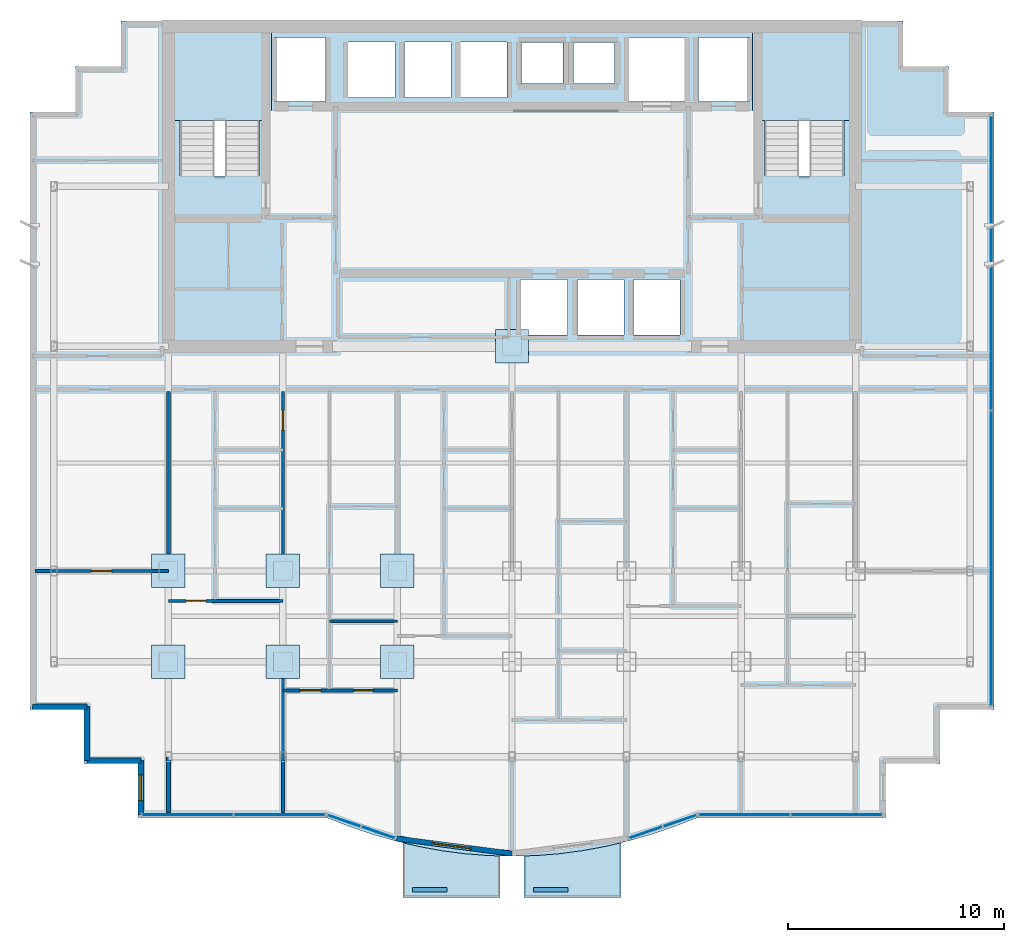
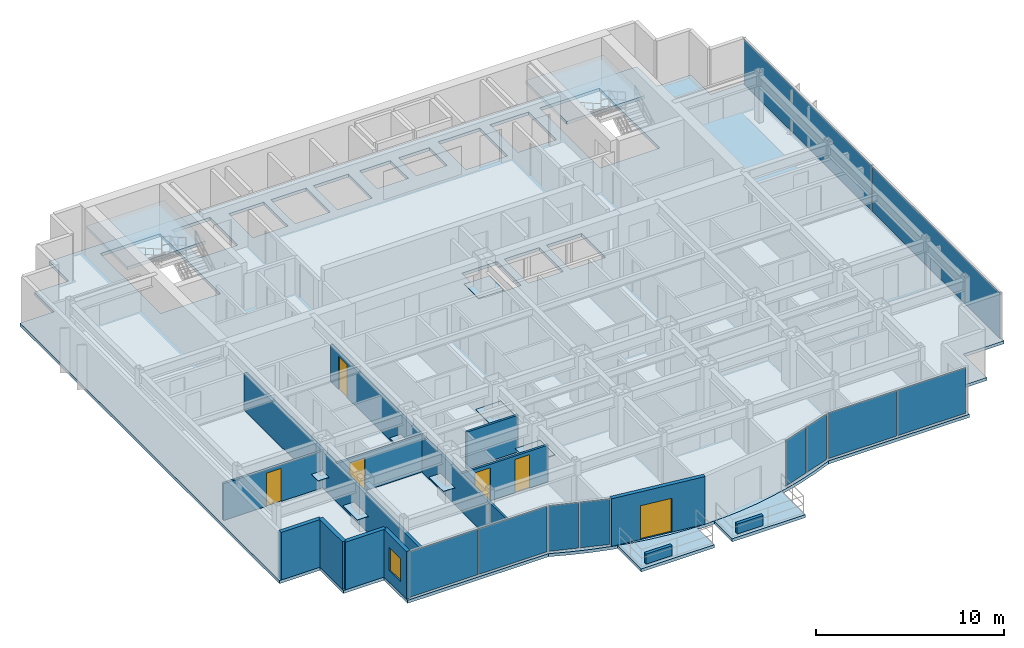
# One storey, part 7 of 13: 17 plates, 13 walls, 6 doors, 5 slabs, 1 window, 7 openings, 7 elements without a shape of their own.
"""IFC4 building model written with IfcOpenShell, lengths in metres."""

from ifc_helpers import new_model, si_unit, direction, frame, frame_2d, origin, origin_2d, place, context, subcontext, project, spatial, polyline, rectangle, outline, extrude, source, transform, mapped, material, layer, layer_set, type_object, element, fill, aggregate, save


model = new_model("IFC4")

# Units and contexts
model_context = context("Model", 3, precision=1e-05, world=origin(), true_north=direction((0.0, 1.0)))
body_context = subcontext(model_context, "Body", "Model", "MODEL_VIEW")
ifc_project = project(units=[si_unit("LENGTHUNIT", "METRE"), si_unit("AREAUNIT", "SQUARE_METRE"), si_unit("VOLUMEUNIT", "CUBIC_METRE"), si_unit("PLANEANGLEUNIT", "RADIAN"), si_unit("MASSUNIT", "GRAM", prefix="KILO")], contexts=[model_context])

# Site, building, storey
site_placement = place(None, origin())
site = spatial("IfcSite", under=ifc_project, at=site_placement, CompositionType="ELEMENT")
building_placement = place(site_placement, origin())
building = spatial("IfcBuilding", under=site, at=building_placement, Name="Qianlan Lanfeng Residences", CompositionType="ELEMENT")
storey_placement = place(building_placement, frame((0.0, 0.0, 162.300048828125)))
storey = spatial("IfcBuildingStorey", under=building, at=storey_placement, Name="L44", CompositionType="ELEMENT", Elevation=162.300048828125)

# Slabs
ifc_material_1 = material(Name="Concrete C42", Category="concrete")
ifc_layer_1 = layer(ifc_material_1, 0.199951171875)
ifc_layer_set_1 = layer_set([ifc_layer_1], Name="Concrete C42")
slab_type_1 = type_object("IfcSlabType", Name="S-BAL-200", PredefinedType="FLOOR", material=ifc_layer_set_1)
slab_1_placement = place(storey_placement, frame((0.0, 0.0, -0.199951171875)))
element("IfcSlab", 1, at=slab_1_placement, inside=storey, type_object=slab_type_1, Name="L44 Planted Tree Balcony Slab SB-W", PredefinedType="FLOOR", context=body_context, shape_type="SweptSolid", body=[
    extrude(outline(polyline([(25.949951171875, 1.614013671875), (25.422119140625, 1.6279296875), (24.344970703125, 1.712890625), (23.26708984375, 1.85302734375), (22.18994140625, 2.050048828125), (21.449951171875, 2.22412109375), (21.449951171875, -0.300048828125), (25.949951171875, -0.300048828125), (25.949951171875, 1.614013671875)])), origin(), (0.0, 0.0, 1.0), 0.199951171875),
])
slab_2_placement = place(storey_placement, frame((0.0, 0.0, -0.199951171875)))
element("IfcSlab", 2, at=slab_2_placement, inside=storey, type_object=slab_type_1, Name="L44 Planted Tree Balcony Slab SB-E", PredefinedType="FLOOR", context=body_context, shape_type="SweptSolid", body=[
    extrude(outline(polyline([(31.550048828125, 2.22412109375), (30.81005859375, 2.050048828125), (29.73193359375, 1.85302734375), (28.655029296875, 1.7119140625), (27.577880859375, 1.6279296875), (27.050048828125, 1.614013671875), (27.050048828125, -0.300048828125), (31.550048828125, -0.300048828125), (31.550048828125, 2.22412109375)])), origin(), (0.0, 0.0, 1.0), 0.199951171875),
])
ifc_layer_2 = layer(ifc_material_1, 0.199951171875)
ifc_layer_set_2 = layer_set([ifc_layer_2], Name="Concrete C42")
slab_type_2 = type_object("IfcSlabType", Name="S-FL-200", PredefinedType="FLOOR", material=ifc_layer_set_2)
slab_3_placement = place(storey_placement, frame((0.0, 0.0, -0.199951171875)))
element("IfcSlab", 3, at=slab_3_placement, inside=storey, type_object=slab_type_2, Name="L44 Structural Floor Slab", PredefinedType="FLOOR", context=body_context, shape_type="SweptSolid", body=[
    extrude(outline(polyline([(4.199951171875, 8.39990234375), (6.699951171875, 8.39990234375), (6.699951171875, 5.89990234375), (9.199951171875, 5.89990234375), (9.199951171875, 3.39990234375), (17.8798828125, 3.39990234375), (18.95703125, 2.97802734375), (20.034912109375, 2.612060546875), (21.112060546875, 2.302978515625), (22.18994140625, 2.050048828125), (23.26708984375, 1.85302734375), (24.344970703125, 1.712890625), (25.422119140625, 1.6279296875), (26.5, 1.60009765625), (27.577880859375, 1.6279296875), (28.655029296875, 1.7119140625), (29.73193359375, 1.85302734375), (30.81005859375, 2.050048828125), (31.886962890625, 2.302978515625), (32.965087890625, 2.612060546875), (34.0419921875, 2.97802734375), (35.1201171875, 3.39990234375), (43.800048828125, 3.39990234375), (43.800048828125, 5.89990234375), (46.300048828125, 5.89990234375), (46.300048828125, 8.39990234375), (48.800048828125, 8.39990234375), (48.800048828125, 36.050048828125), (46.699951171875, 36.050048828125), (46.699951171875, 38.14990234375), (44.60009765625, 38.14990234375), (44.60009765625, 40.25), (8.39990234375, 40.25), (8.39990234375, 38.14990234375), (6.300048828125, 38.14990234375), (6.300048828125, 36.050048828125), (4.199951171875, 36.050048828125), (4.199951171875, 8.39990234375)]), holes=[polyline([(11.139892578125, 33.080078125), (11.139892578125, 39.5), (14.820068359375, 39.5), (14.820068359375, 33.080078125), (11.139892578125, 33.080078125)]), polyline([(38.179931640625, 33.080078125), (38.179931640625, 39.5), (41.860107421875, 39.5), (41.860107421875, 33.080078125), (38.179931640625, 33.080078125)]), polyline([(15.52001953125, 36.52001953125), (15.52001953125, 39.47998046875), (17.8798828125, 39.47998046875), (17.8798828125, 36.52001953125), (15.52001953125, 36.52001953125)]), polyline([(35.1201171875, 36.52001953125), (35.1201171875, 39.47998046875), (37.47998046875, 39.47998046875), (37.47998046875, 36.52001953125), (35.1201171875, 36.52001953125)]), polyline([(31.919921875, 36.52001953125), (31.919921875, 39.47998046875), (34.47998046875, 39.47998046875), (34.47998046875, 36.52001953125), (31.919921875, 36.52001953125)]), polyline([(26.919921875, 25.719970703125), (26.919921875, 28.280029296875), (29.080078125, 28.280029296875), (29.080078125, 25.719970703125), (26.919921875, 25.719970703125)]), polyline([(29.52001953125, 25.719970703125), (29.52001953125, 28.280029296875), (31.679931640625, 28.280029296875), (31.679931640625, 25.719970703125), (29.52001953125, 25.719970703125)]), polyline([(32.1201171875, 25.719970703125), (32.1201171875, 28.280029296875), (34.280029296875, 28.280029296875), (34.280029296875, 25.719970703125), (32.1201171875, 25.719970703125)]), polyline([(18.919921875, 36.719970703125), (18.919921875, 39.280029296875), (21.080078125, 39.280029296875), (21.080078125, 36.719970703125), (18.919921875, 36.719970703125)]), polyline([(21.52001953125, 36.719970703125), (21.52001953125, 39.280029296875), (23.679931640625, 39.280029296875), (23.679931640625, 36.719970703125), (21.52001953125, 36.719970703125)]), polyline([(24.1201171875, 36.719970703125), (24.1201171875, 39.280029296875), (26.280029296875, 39.280029296875), (26.280029296875, 36.719970703125), (24.1201171875, 36.719970703125)]), polyline([(26.949951171875, 37.35009765625), (26.949951171875, 39.25), (28.85009765625, 39.25), (28.85009765625, 37.35009765625), (26.949951171875, 37.35009765625)]), polyline([(29.35009765625, 37.35009765625), (29.35009765625, 39.25), (31.25, 39.25), (31.25, 37.35009765625), (29.35009765625, 37.35009765625)])]), origin(), (0.0, 0.0, 1.0), 0.199951171875),
])

# Stair, slab
stair_type = type_object("IfcStairType", Name="STR-MAIN", PredefinedType="HALF_TURN_STAIR", material=ifc_material_1)
stair_1_placement = place(storey_placement, origin())
stair_1 = element("IfcStair", 4, at=stair_1_placement, inside=storey, type_object=stair_type, Name="L44 Exit Stair ST-1", PredefinedType="HALF_TURN_STAIR")
ifc_layer_3 = layer(ifc_material_1, 0.179931640625)
ifc_layer_set_3 = layer_set([ifc_layer_3], Name="Concrete C42")
slab_type_3 = type_object("IfcSlabType", Name="S-LND-180", PredefinedType="LANDING", material=ifc_layer_set_3)
slab_4_placement = place(storey_placement, frame((0.0, 0.0, 1.449951171875)))
slab_4 = element("IfcSlab", 5, at=slab_4_placement, type_object=slab_type_3, Name="ST-1 landing 1", PredefinedType="LANDING", context=body_context, shape_type="SweptSolid", body=[
    extrude(outline(polyline([(10.580078125, 35.659912109375), (15.3798828125, 35.659912109375), (15.3798828125, 40.050048828125), (10.580078125, 40.050048828125), (10.580078125, 35.659912109375)])), origin(), (0.0, 0.0, 1.0), 0.199951171875),
])
aggregate(stair_1, [slab_4])

stair_2_placement = place(storey_placement, origin())
stair_2 = element("IfcStair", 6, at=stair_2_placement, inside=storey, type_object=stair_type, Name="L44 Exit Stair ST-2", PredefinedType="HALF_TURN_STAIR")
slab_5_placement = place(storey_placement, frame((0.0, 0.0, 1.449951171875)))
slab_5 = element("IfcSlab", 7, at=slab_5_placement, type_object=slab_type_3, Name="ST-2 landing 1", PredefinedType="LANDING", context=body_context, shape_type="SweptSolid", body=[
    extrude(outline(polyline([(37.6201171875, 35.659912109375), (42.419921875, 35.659912109375), (42.419921875, 40.050048828125), (37.6201171875, 40.050048828125), (37.6201171875, 35.659912109375)])), origin(), (0.0, 0.0, 1.0), 0.199951171875),
])
aggregate(stair_2, [slab_5])

# Plates
ifc_material_2 = material(Name="Steel SN490B", Category="steel")
ifc_layer_4 = layer(ifc_material_2, 0.031982421875)
ifc_layer_set_4 = layer_set([ifc_layer_4], Name="Steel SN490B")
plate_type_1 = type_object("IfcPlateType", Name="NP-CAP-32", PredefinedType="USERDEFINED", material=ifc_layer_set_4)
shared_shape_1 = source(origin(), body_context, "Body", "SweptSolid", [
    extrude(rectangle(XDim=1.550048828125, YDim=1.550048828125, at=origin_2d()), origin(), (0.0, 0.0, 1.0), 0.031982421875),
])
for number, where, z_axis, x_axis, name in (
    (8, (26.5, 25.199951171875, 1.083984375), (0.0, 0.0, 1.0), (1.0, 0.0, 0.0), "L44 Column Splice Cap Plate 1"),
    (9, (10.60009765625, 14.800048828125, 1.083984375), (0.0, 0.0, 1.0), (1.0, 0.0, 0.0), "L44 Column Splice Cap Plate 2"),
    (10, (10.60009765625, 10.60009765625, 1.083984375), (0.0, 0.0, 1.0), (1.0, 0.0, 0.0), "L44 Column Splice Cap Plate 3"),
    (11, (15.89990234375, 14.800048828125, 1.083984375), (0.0, 0.0, 1.0), (1.0, 0.0, 0.0), "L44 Column Splice Cap Plate 4"),
    (12, (15.89990234375, 10.60009765625, 1.083984375), (0.0, 0.0, 1.0), (1.0, 0.0, 0.0), "L44 Column Splice Cap Plate 5"),
    (13, (21.199951171875, 14.800048828125, 1.083984375), (0.0, 0.0, 1.0), (1.0, 0.0, 0.0), "L44 Column Splice Cap Plate 6"),
    (14, (21.199951171875, 10.60009765625, 1.083984375), (0.0, 0.0, 1.0), (1.0, 0.0, 0.0), "L44 Column Splice Cap Plate 7"),
):
    element("IfcPlate", number, at=place(storey_placement, frame(where, z_axis=z_axis, x_axis=x_axis)), inside=storey, type_object=plate_type_1, Name=name, ObjectType="SPLICE_PLATE", PredefinedType="USERDEFINED", context=body_context, shape_type="MappedRepresentation", body=[
        mapped(shared_shape_1, transform((0.0, 0.0, 0.0), scale=1.0)),
    ])

# Curtain wall, plates
ifc_material_3 = material(Name="Anodised Bronze Aluminium 6063-T6", Category="aluminium")
ifc_layer_5 = layer(ifc_material_3, 0.219970703125)
ifc_layer_set_5 = layer_set([ifc_layer_5], Name="Anodised Bronze Aluminium 6063-T6")
curtain_wall_type = type_object("IfcCurtainWallType", Name="CW-04", PredefinedType="NOTDEFINED", material=ifc_layer_set_5)
curtain_wall_1_placement = place(storey_placement, origin())
curtain_wall_1 = element("IfcCurtainWall", 15, at=curtain_wall_1_placement, inside=storey, type_object=curtain_wall_type, Name="L44 Unitised Curtain Wall CWR-L44-01 (CW-04)", PredefinedType="NOTDEFINED")
ifc_material_4 = material(Name="Dark Bronze Tinted Insulated Glass", Category="glass")
ifc_layer_6 = layer(ifc_material_4, 0.0380859375)
ifc_layer_set_6 = layer_set([ifc_layer_6], Name="Dark Bronze Tinted Insulated Glass")
plate_type_2 = type_object("IfcPlateType", Name="PNL-GLZ-BRZ", PredefinedType="CURTAIN_PANEL", material=ifc_layer_set_6)
shared_shape_2 = source(origin(), body_context, "Body", "SweptSolid", [
    extrude(rectangle(XDim=4.180908203125, YDim=0.0380859375, at=origin_2d()), origin(), (0.0, 0.0, 1.0), 2.951904296875),
])
plate_1_placement = place(storey_placement, frame((11.484619140625, 3.52001953125, 0.07421875), z_axis=(0.0, 0.0, 1.0), x_axis=(1.0, 0.0, 0.0)))
plate_1 = element("IfcPlate", 16, at=plate_1_placement, type_object=plate_type_2, Name="CWR-L44-01 Curtain Panel 1", PredefinedType="CURTAIN_PANEL", context=body_context, shape_type="MappedRepresentation", body=[
    mapped(shared_shape_2, transform((0.0, 0.0, 0.0), scale=1.0)),
])
plate_2_placement = place(storey_placement, frame((15.738525390625, 3.52001953125, 0.07421875), z_axis=(0.0, 0.0, 1.0), x_axis=(1.0, 0.0, 0.0)))
plate_2 = element("IfcPlate", 17, at=plate_2_placement, type_object=plate_type_2, Name="CWR-L44-01 Curtain Panel 2", PredefinedType="CURTAIN_PANEL", context=body_context, shape_type="MappedRepresentation", body=[
    mapped(shared_shape_2, transform((0.0, 0.0, 0.0), scale=1.0)),
])
aggregate(curtain_wall_1, [plate_1, plate_2])

# Curtain wall, plate
curtain_wall_2_placement = place(storey_placement, origin())
curtain_wall_2 = element("IfcCurtainWall", 18, at=curtain_wall_2_placement, inside=storey, type_object=curtain_wall_type, Name="L44 Unitised Curtain Wall CWR-L44-04 (CW-04)", PredefinedType="NOTDEFINED")
plate_3_placement = place(storey_placement, frame((37.261474609375, 3.52001953125, 0.07421875), z_axis=(0.0, 0.0, 1.0), x_axis=(1.0, 0.0, 0.0)))
plate_3 = element("IfcPlate", 19, at=plate_3_placement, type_object=plate_type_2, Name="CWR-L44-04 Curtain Panel 1", PredefinedType="CURTAIN_PANEL", context=body_context, shape_type="MappedRepresentation", body=[
    mapped(shared_shape_2, transform((0.0, 0.0, 0.0), scale=1.0)),
])

curtain_wall_3_placement = place(storey_placement, origin())
curtain_wall_3 = element("IfcCurtainWall", 20, at=curtain_wall_3_placement, inside=storey, type_object=curtain_wall_type, Name="L44 Unitised Curtain Wall CWR-L44-02 (CW-04)", PredefinedType="NOTDEFINED")
shared_shape_3 = source(origin(), body_context, "Body", "SweptSolid", [
    extrude(rectangle(XDim=1.60009765625, YDim=0.0380859375, at=origin_2d()), origin(), (0.0, 0.0, 1.0), 2.951904296875),
])
plate_4_placement = place(storey_placement, frame((18.73046875, 3.23876953125, 0.07421875), z_axis=(0.0, 0.0, 1.0), x_axis=(0.946795963885, -0.321834433787, 0.0)))
plate_4 = element("IfcPlate", 21, at=plate_4_placement, type_object=plate_type_2, Name="CWR-L44-02 Curtain Panel 1", PredefinedType="CURTAIN_PANEL", context=body_context, shape_type="MappedRepresentation", body=[
    mapped(shared_shape_3, transform((0.0, 0.0, 0.0), scale=1.0)),
])

# Curtain wall, plates
curtain_wall_4_placement = place(storey_placement, origin())
curtain_wall_4 = element("IfcCurtainWall", 22, at=curtain_wall_4_placement, inside=storey, type_object=curtain_wall_type, Name="L44 Unitised Curtain Wall CWR-L44-03 (CW-04)", PredefinedType="NOTDEFINED")
shared_shape_4 = source(origin(), body_context, "Body", "SweptSolid", [
    extrude(rectangle(XDim=1.6005859375, YDim=0.0380859375, at=origin_2d()), origin(), (0.0, 0.0, 1.0), 2.951904296875),
])
plate_5_placement = place(storey_placement, frame((32.684814453125, 2.7001953125, 0.07421875), z_axis=(0.0, 0.0, 1.0), x_axis=(0.946826291861, 0.32174519894, 0.0)))
plate_5 = element("IfcPlate", 23, at=plate_5_placement, type_object=plate_type_2, Name="CWR-L44-03 Curtain Panel 1", PredefinedType="CURTAIN_PANEL", context=body_context, shape_type="MappedRepresentation", body=[
    mapped(shared_shape_4, transform((0.0, 0.0, 0.0), scale=1.0)),
])
plate_6_placement = place(storey_placement, frame((34.269287109375, 3.23876953125, 0.07421875), z_axis=(0.0, 0.0, 1.0), x_axis=(0.946826291861, 0.32174519894, 0.0)))
plate_6 = element("IfcPlate", 24, at=plate_6_placement, type_object=plate_type_2, Name="CWR-L44-03 Curtain Panel 2", PredefinedType="CURTAIN_PANEL", context=body_context, shape_type="MappedRepresentation", body=[
    mapped(shared_shape_4, transform((0.0, 0.0, 0.0), scale=1.0)),
])
aggregate(curtain_wall_4, [plate_5, plate_6])

curtain_wall_5_placement = place(storey_placement, origin())
curtain_wall_5 = element("IfcCurtainWall", 25, at=curtain_wall_5_placement, inside=storey, type_object=curtain_wall_type, Name="L44 Unitised Curtain Wall CWR-L44-05 (CW-04)", PredefinedType="NOTDEFINED")
shared_shape_5 = source(origin(), body_context, "Body", "SweptSolid", [
    extrude(rectangle(XDim=13.594482421875, YDim=0.0380859375, at=origin_2d()), origin(), (0.0, 0.0, 1.0), 2.951904296875),
])
plate_7_placement = place(storey_placement, frame((48.679931640625, 15.39111328125, 0.07421875), z_axis=(0.0, 0.0, 1.0), x_axis=(0.0, 1.0, 0.0)))
plate_7 = element("IfcPlate", 26, at=plate_7_placement, type_object=plate_type_2, Name="CWR-L44-05 Curtain Panel 1", PredefinedType="CURTAIN_PANEL", context=body_context, shape_type="MappedRepresentation", body=[
    mapped(shared_shape_5, transform((0.0, 0.0, 0.0), scale=1.0)),
])
plate_8_placement = place(storey_placement, frame((48.679931640625, 29.05859375, 0.07421875), z_axis=(0.0, 0.0, 1.0), x_axis=(0.0, 1.0, 0.0)))
plate_8 = element("IfcPlate", 27, at=plate_8_placement, type_object=plate_type_2, Name="CWR-L44-05 Curtain Panel 2", PredefinedType="CURTAIN_PANEL", context=body_context, shape_type="MappedRepresentation", body=[
    mapped(shared_shape_5, transform((0.0, 0.0, 0.0), scale=1.0)),
])
aggregate(curtain_wall_5, [plate_7, plate_8])

# Plate
ifc_material_5 = material(Name="Perforated Champagne Gold Aluminium Panel", Category="aluminium")
ifc_layer_7 = layer(ifc_material_5, 0.0400390625)
ifc_layer_set_7 = layer_set([ifc_layer_7], Name="Perforated Champagne Gold Aluminium Panel")
plate_type_3 = type_object("IfcPlateType", Name="PNL-PRF-GLD", PredefinedType="CURTAIN_PANEL", material=ifc_layer_set_7)
shared_shape_6 = source(origin(), body_context, "Body", "SweptSolid", [
    extrude(rectangle(XDim=1.60009765625, YDim=0.0400390625, at=origin_2d()), origin(), (0.0, 0.0, 1.0), 2.951904296875),
])
plate_9_placement = place(storey_placement, frame((20.314453125, 2.7001953125, 0.07421875), z_axis=(0.0, 0.0, 1.0), x_axis=(0.946795963885, -0.321834433787, 0.0)))
plate_9 = element("IfcPlate", 28, at=plate_9_placement, type_object=plate_type_3, Name="CWR-L44-02 Curtain Panel 2", PredefinedType="CURTAIN_PANEL", context=body_context, shape_type="MappedRepresentation", body=[
    mapped(shared_shape_6, transform((0.0, 0.0, 0.0), scale=1.0)),
])

aggregate(curtain_wall_3, [plate_4, plate_9])

shared_shape_7 = source(origin(), body_context, "Body", "SweptSolid", [
    extrude(rectangle(XDim=4.180908203125, YDim=0.0400390625, at=origin_2d()), origin(), (0.0, 0.0, 1.0), 2.951904296875),
])
plate_10_placement = place(storey_placement, frame((41.515380859375, 3.52001953125, 0.07421875), z_axis=(0.0, 0.0, 1.0), x_axis=(1.0, 0.0, 0.0)))
plate_10 = element("IfcPlate", 29, at=plate_10_placement, type_object=plate_type_3, Name="CWR-L44-04 Curtain Panel 2", PredefinedType="CURTAIN_PANEL", context=body_context, shape_type="MappedRepresentation", body=[
    mapped(shared_shape_7, transform((0.0, 0.0, 0.0), scale=1.0)),
])

aggregate(curtain_wall_2, [plate_3, plate_10])

# Walls
ifc_layer_8 = layer(ifc_material_1, 0.239990234375)
ifc_layer_set_8 = layer_set([ifc_layer_8], Name="Concrete C42")
wall_type_1 = type_object("IfcWallType", Name="EW-240", PredefinedType="SOLIDWALL", material=ifc_layer_set_8)
for number, where, z_axis, x_axis, name in (
    (30, (4.320068359375, 8.52001953125, 0.0), (0.0, 0.0, 1.0), (1.0, 0.0, 0.0), "L44 Exterior Facade Spandrel Wall 1"),
    (31, (6.820068359375, 8.52001953125, 0.0), (0.0, 0.0, 1.0), (0.0, -1.0, 0.0), "L44 Exterior Facade Spandrel Wall 2"),
    (32, (6.820068359375, 6.02001953125, 0.0), (0.0, 0.0, 1.0), (1.0, 0.0, 0.0), "L44 Exterior Facade Spandrel Wall 3"),
):
    element("IfcWall", number, at=place(storey_placement, frame(where, z_axis=z_axis, x_axis=x_axis)), inside=storey, type_object=wall_type_1, Name=name, PredefinedType="SOLIDWALL", context=body_context, shape_type="SweptSolid", body=[
        extrude(rectangle(XDim=2.5, YDim=0.239990234375, at=frame_2d((1.25, 0.0))), origin(), (0.0, 0.0, 1.0), 3.099853515625),
    ])

# Wall, opening, window
wall_1_placement = place(storey_placement, frame((9.320068359375, 6.02001953125, 0.0), z_axis=(0.0, 0.0, 1.0), x_axis=(0.0, -1.0, 0.0)))
wall_1 = element("IfcWall", 33, at=wall_1_placement, inside=storey, type_object=wall_type_1, Name="L44 Exterior Facade Spandrel Wall 4", PredefinedType="SOLIDWALL", context=body_context, shape_type="SweptSolid", body=[
    extrude(rectangle(XDim=2.5, YDim=0.239990234375, at=frame_2d((1.25, 0.0))), origin(), (0.0, 0.0, 1.0), 3.099853515625),
])
opening_1_placement = place(wall_1_placement, frame((0.64990234375, 0.0, 0.75)))
opening_1 = element("IfcOpeningElement", 34, at=opening_1_placement, cuts=wall_1, Name="Opening W-03", PredefinedType="OPENING", context=body_context, shape_type="SweptSolid", body=[
    extrude(rectangle(XDim=1.199951171875, YDim=1.5, at=frame_2d((0.60009765625, 0.75))), frame((0.0, 0.1298828125, 0.0), z_axis=(0.0, -1.0, 0.0), x_axis=(1.0, 0.0, 0.0)), (0.0, 0.0, 1.0), 0.260009765625),
])
ifc_material_6 = material(Name="Anodised Bronze Aluminium Framed Double Glazing", Category="aluminium")
window_type = type_object("IfcWindowType", Name="W-03", PartitioningType="SINGLE_PANEL", PredefinedType="WINDOW", material=ifc_material_6)
window_placement = place(opening_1_placement, origin())
window = element("IfcWindow", 35, at=window_placement, inside=storey, type_object=window_type, Name="L44 Facade Punched Window W-03", OverallHeight=1.5, OverallWidth=1.199951171875, PartitioningType="SINGLE_PANEL", PredefinedType="WINDOW", context=body_context, shape_type="SweptSolid", body=[
    extrude(rectangle(XDim=1.199951171875, YDim=1.5, at=frame_2d((0.60009765625, 0.75))), frame((0.0, 0.030029296875, 0.0), z_axis=(0.0, -1.0, 0.0), x_axis=(1.0, 0.0, 0.0)), (0.0, 0.0, 1.0), 0.06005859375),
])
fill(opening_1, window)

# Wall, opening, door
wall_2_placement = place(storey_placement, frame((21.14208984375, 2.4189453125, 0.0), z_axis=(0.0, 0.0, 1.0), x_axis=(0.991597639478, -0.129360432053, 0.0)))
wall_2 = element("IfcWall", 36, at=wall_2_placement, inside=storey, type_object=wall_type_1, Name="L44 Terrace/Balcony Access Exterior Wall 5", PredefinedType="SOLIDWALL", context=body_context, shape_type="SweptSolid", body=[
    extrude(rectangle(XDim=5.4033203125, YDim=0.239990234375, at=frame_2d((2.70166015625, 0.0))), origin(), (0.0, 0.0, 1.0), 3.099853515625),
])
opening_2_placement = place(wall_2_placement, frame((1.672119140625, 0.0, 0.0)))
opening_2 = element("IfcOpeningElement", 37, at=opening_2_placement, cuts=wall_2, Name="Opening L44-D-SB-W", PredefinedType="OPENING", context=body_context, shape_type="SweptSolid", body=[
    extrude(rectangle(XDim=1.800048828125, YDim=2.199951171875, at=frame_2d((0.89990234375, 1.10009765625))), frame((0.0, 0.1298828125, 0.0), z_axis=(0.0, -1.0, 0.0), x_axis=(1.0, 0.0, 0.0)), (0.0, 0.0, 1.0), 0.260009765625),
])
ifc_material_7 = material(Name="Anodised Bronze Aluminium Framed Glass", Category="aluminium")
door_type_1 = type_object("IfcDoorType", Name="DT-BAL1", OperationType="NOTDEFINED", PredefinedType="DOOR", material=ifc_material_7)
door_1_placement = place(opening_2_placement, frame((1.800048828125, 0.0, 0.0), z_axis=(0.0, 0.0, 1.0), x_axis=(-1.0, 0.0, 0.0)))
door_1 = element("IfcDoor", 38, at=door_1_placement, inside=storey, type_object=door_type_1, Name="L44 Exterior Access Door SB-W", OperationType="DOUBLE_DOOR_SLIDING", OverallHeight=2.199951171875, OverallWidth=1.800048828125, PredefinedType="DOOR", context=body_context, shape_type="SweptSolid", body=[
    extrude(rectangle(XDim=1.800048828125, YDim=2.199951171875, at=frame_2d((0.89990234375, 1.10009765625))), frame((0.0, 0.02490234375, 0.0), z_axis=(0.0, -1.0, 0.0), x_axis=(1.0, 0.0, 0.0)), (0.0, 0.0, 1.0), 0.050048828125),
])
fill(opening_2, door_1)

# Walls
ifc_layer_9 = layer(ifc_material_1, 0.199951171875)
ifc_layer_set_9 = layer_set([ifc_layer_9], Name="Concrete C42")
wall_type_2 = type_object("IfcWallType", Name="PL-TREE-200", PredefinedType="PARAPET", material=ifc_layer_set_9)
for number, where, z_axis, x_axis, name in (
    (39, (21.89990234375, 0.050048828125, 0.0), (0.0, 0.0, 1.0), (1.0, 0.0, 0.0), "L44 Balcony Tree Planter Curb SB-W"),
    (40, (27.5, 0.050048828125, 0.0), (0.0, 0.0, 1.0), (1.0, 0.0, 0.0), "L44 Balcony Tree Planter Curb SB-E"),
):
    element("IfcWall", number, at=place(storey_placement, frame(where, z_axis=z_axis, x_axis=x_axis)), inside=storey, type_object=wall_type_2, Name=name, PredefinedType="PARAPET", context=body_context, shape_type="SweptSolid", body=[
        extrude(rectangle(XDim=1.60009765625, YDim=0.199951171875, at=frame_2d((0.800048828125, 0.0))), origin(), (0.0, 0.0, 1.0), 0.64990234375),
    ])

# Wall, opening, door
ifc_material_8 = material(Name="Moisture-Resistant Gypsum Partition 135 mm")
ifc_layer_10 = layer(ifc_material_8, 0.135009765625)
ifc_layer_set_10 = layer_set([ifc_layer_10], Name="Moisture-Resistant Gypsum Partition 135 mm")
wall_type_3 = type_object("IfcWallType", Name="PW-135", PredefinedType="PARTITIONING", material=ifc_layer_set_10)
wall_3_placement = place(storey_placement, frame((15.89990234375, 3.6201171875, 0.0), z_axis=(0.0, 0.0, 1.0), x_axis=(0.0, 1.0, 0.0)))
wall_3 = element("IfcWall", 41, at=wall_3_placement, inside=storey, type_object=wall_type_3, Name="L44 U01 Bay Spine Wall 1", PredefinedType="PARTITIONING", context=body_context, shape_type="SweptSolid", body=[
    extrude(rectangle(XDim=19.47998046875, YDim=0.135009765625, at=frame_2d((9.739990234375, 0.0))), origin(), (0.0, 0.0, 1.0), 2.3798828125),
])
opening_3_placement = place(wall_3_placement, frame((17.695068359375, 0.0, 0.0)))
opening_3 = element("IfcOpeningElement", 42, at=opening_3_placement, cuts=wall_3, Name="Opening L44-D18", PredefinedType="OPENING", context=body_context, shape_type="SweptSolid", body=[
    extrude(rectangle(XDim=0.919921875, YDim=2.14990234375, at=frame_2d((0.4599609375, 1.074951171875))), frame((0.0, 0.07763671875, 0.0), z_axis=(0.0, -1.0, 0.0), x_axis=(1.0, 0.0, 0.0)), (0.0, 0.0, 1.0), 0.155029296875),
])
ifc_material_9 = material(Name="Glazed Timber Kitchen/Study Door", Category="wood")
door_type_2 = type_object("IfcDoorType", Name="DT-INT", OperationType="NOTDEFINED", PredefinedType="DOOR", material=ifc_material_9)
door_2_placement = place(opening_3_placement, origin())
door_2 = element("IfcDoor", 43, at=door_2_placement, inside=storey, type_object=door_type_2, Name="L44 U01 Internal Hall Door L44-D18 (DT-INT)", OperationType="SINGLE_SWING_LEFT", OverallHeight=2.14990234375, OverallWidth=0.919921875, PredefinedType="DOOR", context=body_context, shape_type="SweptSolid", body=[
    extrude(rectangle(XDim=0.919921875, YDim=2.14990234375, at=frame_2d((0.4599609375, 1.074951171875))), frame((0.0, 0.02490234375, 0.0), z_axis=(0.0, -1.0, 0.0), x_axis=(1.0, 0.0, 0.0)), (0.0, 0.0, 1.0), 0.050048828125),
])
fill(opening_3, door_2)

wall_4_placement = place(storey_placement, frame((10.60009765625, 13.419921875, 0.0), z_axis=(0.0, 0.0, 1.0), x_axis=(1.0, 0.0, 0.0)))
wall_4 = element("IfcWall", 44, at=wall_4_placement, inside=storey, type_object=wall_type_3, Name="L44 U01 Living Divider", PredefinedType="PARTITIONING", context=body_context, shape_type="SweptSolid", body=[
    extrude(rectangle(XDim=5.2998046875, YDim=0.135009765625, at=frame_2d((2.64990234375, 0.0))), origin(), (0.0, 0.0, 1.0), 2.3798828125),
])
opening_4_placement = place(wall_4_placement, frame((0.81494140625, 0.0, 0.0)))
opening_4 = element("IfcOpeningElement", 45, at=opening_4_placement, cuts=wall_4, Name="Opening L44-D19", PredefinedType="OPENING", context=body_context, shape_type="SweptSolid", body=[
    extrude(rectangle(XDim=0.919921875, YDim=2.14990234375, at=frame_2d((0.4599609375, 1.074951171875))), frame((0.0, 0.07763671875, 0.0), z_axis=(0.0, -1.0, 0.0), x_axis=(1.0, 0.0, 0.0)), (0.0, 0.0, 1.0), 0.155029296875),
])
door_3_placement = place(opening_4_placement, origin())
door_3 = element("IfcDoor", 46, at=door_3_placement, inside=storey, type_object=door_type_2, Name="L44 U01 Living Passage Door L44-D19 (DT-INT)", OperationType="SINGLE_SWING_LEFT", OverallHeight=2.14990234375, OverallWidth=0.919921875, PredefinedType="DOOR", context=body_context, shape_type="SweptSolid", body=[
    extrude(rectangle(XDim=0.919921875, YDim=2.14990234375, at=frame_2d((0.4599609375, 1.074951171875))), frame((0.0, 0.02490234375, 0.0), z_axis=(0.0, -1.0, 0.0), x_axis=(1.0, 0.0, 0.0)), (0.0, 0.0, 1.0), 0.050048828125),
])
fill(opening_4, door_3)

# Wall, openings, doors
wall_5_placement = place(storey_placement, frame((15.89990234375, 9.27392578125, 0.0), z_axis=(0.0, 0.0, 1.0), x_axis=(1.0, 0.0, 0.0)))
wall_5 = element("IfcWall", 47, at=wall_5_placement, inside=storey, type_object=wall_type_3, Name="L44 U01 Master Bedroom North Wall", PredefinedType="PARTITIONING", context=body_context, shape_type="SweptSolid", body=[
    extrude(rectangle(XDim=5.300048828125, YDim=0.135009765625, at=frame_2d((2.64990234375, 0.0))), origin(), (0.0, 0.0, 1.0), 2.3798828125),
])
opening_5_placement = place(wall_5_placement, frame((0.800048828125, 0.0, 0.0)))
opening_5 = element("IfcOpeningElement", 48, at=opening_5_placement, cuts=wall_5, Name="Opening L44-D23", PredefinedType="OPENING", context=body_context, shape_type="SweptSolid", body=[
    extrude(rectangle(XDim=0.949951171875, YDim=2.14990234375, at=frame_2d((0.47509765625, 1.074951171875))), frame((0.0, 0.07763671875, 0.0), z_axis=(0.0, -1.0, 0.0), x_axis=(1.0, 0.0, 0.0)), (0.0, 0.0, 1.0), 0.155029296875),
])
opening_6_placement = place(wall_5_placement, frame((3.27490234375, 0.0, 0.0)))
opening_6 = element("IfcOpeningElement", 49, at=opening_6_placement, cuts=wall_5, Name="Opening L44-D24", PredefinedType="OPENING", context=body_context, shape_type="SweptSolid", body=[
    extrude(rectangle(XDim=0.89990234375, YDim=2.14990234375, at=frame_2d((0.449951171875, 1.074951171875))), frame((0.0, 0.07763671875, 0.0), z_axis=(0.0, -1.0, 0.0), x_axis=(1.0, 0.0, 0.0)), (0.0, 0.0, 1.0), 0.155029296875),
])
ifc_material_10 = material(Name="Painted Solid-Core Timber Leaf", Category="wood")
door_type_3 = type_object("IfcDoorType", Name="DT-BED", OperationType="NOTDEFINED", PredefinedType="DOOR", material=ifc_material_10)
door_4_placement = place(opening_5_placement, origin())
door_4 = element("IfcDoor", 50, at=door_4_placement, inside=storey, type_object=door_type_3, Name="L44 U01 Master Bedroom Door L44-D23 (DT-BED)", OperationType="SINGLE_SWING_LEFT", OverallHeight=2.14990234375, OverallWidth=0.949951171875, PredefinedType="DOOR", context=body_context, shape_type="SweptSolid", body=[
    extrude(rectangle(XDim=0.949951171875, YDim=2.14990234375, at=frame_2d((0.47509765625, 1.074951171875))), frame((0.0, 0.02490234375, 0.0), z_axis=(0.0, -1.0, 0.0), x_axis=(1.0, 0.0, 0.0)), (0.0, 0.0, 1.0), 0.050048828125),
])
fill(opening_5, door_4)
ifc_material_11 = material(Name="Moisture-Resistant Timber Leaf", Category="wood")
door_type_4 = type_object("IfcDoorType", Name="DT-WC", OperationType="NOTDEFINED", PredefinedType="DOOR", material=ifc_material_11)
door_5_placement = place(opening_6_placement, origin())
door_5 = element("IfcDoor", 51, at=door_5_placement, inside=storey, type_object=door_type_4, Name="L44 U01 En-Suite Bathroom Door L44-D24 (DT-WC)", OperationType="SINGLE_SWING_LEFT", OverallHeight=2.14990234375, OverallWidth=0.89990234375, PredefinedType="DOOR", context=body_context, shape_type="SweptSolid", body=[
    extrude(rectangle(XDim=0.89990234375, YDim=2.14990234375, at=frame_2d((0.449951171875, 1.074951171875))), frame((0.0, 0.02490234375, 0.0), z_axis=(0.0, -1.0, 0.0), x_axis=(1.0, 0.0, 0.0)), (0.0, 0.0, 1.0), 0.050048828125),
])
fill(opening_6, door_5)

# Wall
wall_6_placement = place(storey_placement, frame((18.050048828125, 12.47412109375, 0.0), z_axis=(0.0, 0.0, 1.0), x_axis=(1.0, 0.0, 0.0)))
element("IfcWall", 52, at=wall_6_placement, inside=storey, type_object=wall_type_3, Name="L44 U01 En-Suite North Wall", PredefinedType="PARTITIONING", context=body_context, shape_type="SweptSolid", body=[
    extrude(rectangle(XDim=3.14990234375, YDim=0.135009765625, at=frame_2d((1.574951171875, 0.0))), origin(), (0.0, 0.0, 1.0), 2.3798828125),
])

# Wall, opening, door
wall_7_placement = place(storey_placement, frame((4.419921875, 14.800048828125, 0.0), z_axis=(0.0, 0.0, 1.0), x_axis=(1.0, 0.0, 0.0)))
wall_7 = element("IfcWall", 53, at=wall_7_placement, inside=storey, type_object=wall_type_3, Name="L44 SWP Mid Partition", PredefinedType="PARTITIONING", context=body_context, shape_type="SweptSolid", body=[
    extrude(rectangle(XDim=6.18017578125, YDim=0.135009765625, at=frame_2d((3.090087890625, 0.0))), origin(), (0.0, 0.0, 1.0), 2.3798828125),
])
opening_7_placement = place(wall_7_placement, frame((2.6298828125, 0.0, 0.0)))
opening_7 = element("IfcOpeningElement", 54, at=opening_7_placement, cuts=wall_7, Name="Opening L44-D47", PredefinedType="OPENING", context=body_context, shape_type="SweptSolid", body=[
    extrude(rectangle(XDim=0.919921875, YDim=2.14990234375, at=frame_2d((0.4599609375, 1.074951171875))), frame((0.0, 0.07763671875, 0.0), z_axis=(0.0, -1.0, 0.0), x_axis=(1.0, 0.0, 0.0)), (0.0, 0.0, 1.0), 0.155029296875),
])
door_6_placement = place(opening_7_placement, origin())
door_6 = element("IfcDoor", 55, at=door_6_placement, inside=storey, type_object=door_type_2, Name="L44 SWP Inner Door L44-D47 (DT-INT)", OperationType="SINGLE_SWING_RIGHT", OverallHeight=2.14990234375, OverallWidth=0.919921875, PredefinedType="DOOR", context=body_context, shape_type="SweptSolid", body=[
    extrude(rectangle(XDim=0.919921875, YDim=2.14990234375, at=frame_2d((0.4599609375, 1.074951171875))), frame((0.0, 0.02490234375, 0.0), z_axis=(0.0, -1.0, 0.0), x_axis=(1.0, 0.0, 0.0)), (0.0, 0.0, 1.0), 0.050048828125),
])
fill(opening_7, door_6)

# Wall
ifc_material_12 = material(Name="Double-Layer Acoustic Gypsum Stud Wall 180 mm")
ifc_layer_11 = layer(ifc_material_12, 0.179931640625)
ifc_layer_set_11 = layer_set([ifc_layer_11], Name="Double-Layer Acoustic Gypsum Stud Wall 180 mm")
wall_type_4 = type_object("IfcWallType", Name="PW-180", PredefinedType="PARTITIONING", material=ifc_layer_set_11)
wall_8_placement = place(storey_placement, frame((10.60009765625, 3.6201171875, 0.0), z_axis=(0.0, 0.0, 1.0), x_axis=(0.0, 1.0, 0.0)))
element("IfcWall", 56, at=wall_8_placement, inside=storey, type_object=wall_type_4, Name="L44 Wing Boundary Party Wall W0", PredefinedType="PARTITIONING", context=body_context, shape_type="SweptSolid", body=[
    extrude(rectangle(XDim=19.47998046875, YDim=0.179931640625, at=frame_2d((9.739990234375, 0.0))), origin(), (0.0, 0.0, 1.0), 2.3798828125),
])

save(model, "model.ifc")
